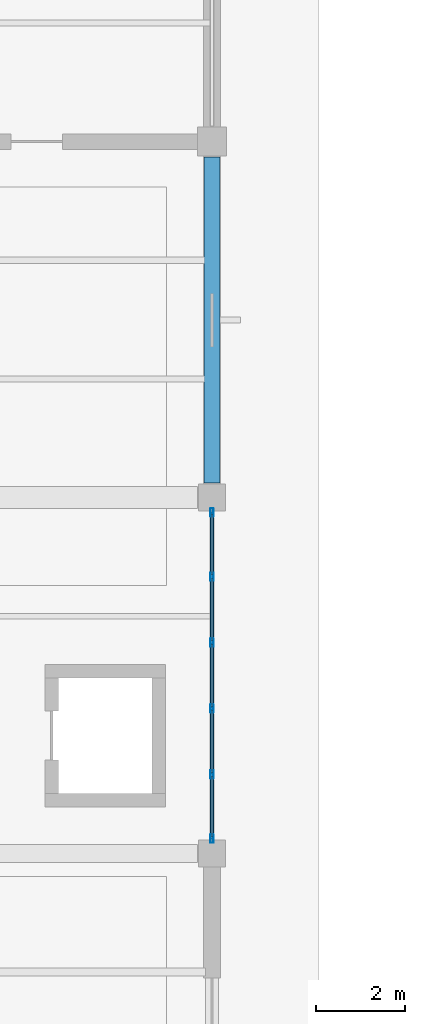
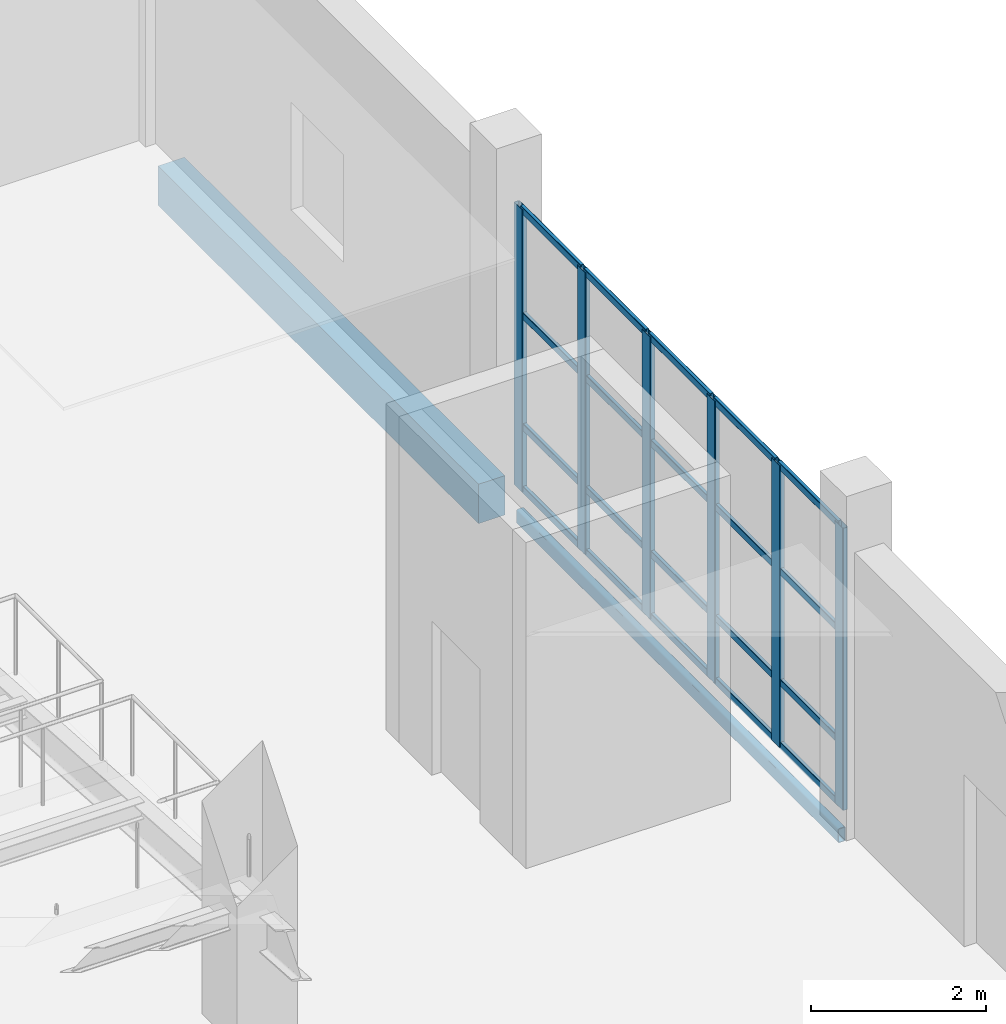
# One storey, part 40 of 156: 26 members, 2 beams, 1 element without a shape of its own.
"""IFC4 building model written with IfcOpenShell, lengths in metres."""

from ifc_helpers import new_model, si_unit, direction, frame, origin, origin_2d, place, context, subcontext, project, spatial, rectangle, hollow_rectangle, extrude, material, material_profile, profile_set, type_object, element, aggregate, save


model = new_model("IFC4")

# Units and contexts
model_context = context("Model", 3, precision=1e-05, world=origin(), true_north=direction((0.0, 1.0)))
body_context = subcontext(model_context, "Body", "Model", "MODEL_VIEW")
ifc_project = project(units=[si_unit("LENGTHUNIT", "METRE"), si_unit("AREAUNIT", "SQUARE_METRE"), si_unit("VOLUMEUNIT", "CUBIC_METRE"), si_unit("PLANEANGLEUNIT", "RADIAN"), si_unit("MASSUNIT", "GRAM", prefix="KILO")], contexts=[model_context])

# Site, building, storey
site_placement = place(None, origin())
site = spatial("IfcSite", under=ifc_project, at=site_placement, CompositionType="ELEMENT")
building_placement = place(site_placement, origin())
building = spatial("IfcBuilding", under=site, at=building_placement, Name="Luwemba Playhouse", CompositionType="ELEMENT")
storey_placement = place(building_placement, origin())
storey = spatial("IfcBuildingStorey", under=building, at=storey_placement, Name="L00", CompositionType="ELEMENT", Elevation=0.0)

# Beams
ifc_material_1 = material(Name="Concrete C40/50", Category="concrete")
ifc_material_profile_1 = material_profile(ifc_material_1, rectangle(XDim=0.35009765625, YDim=0.550048828125, at=origin_2d()))
ifc_profile_set_1 = profile_set([ifc_material_profile_1], Name="Concrete C40/50")
beam_type_1 = type_object("IfcBeamType", Name="BM-SP2", PredefinedType="SPANDREL", material=ifc_profile_set_1)
beam_1_placement = place(storey_placement, frame((52.0, 60.324951171875, -0.574951171875), z_axis=(0.0, 1.0, 0.0), x_axis=(-1.0, 0.0, 0.0)))
element("IfcBeam", 1, at=beam_1_placement, inside=storey, type_object=beam_type_1, Name="L00 transverse girder 0040", PredefinedType="SPANDREL", context=body_context, shape_type="SweptSolid", body=[
    extrude(rectangle(XDim=0.35009765625, YDim=0.550048828125, at=origin_2d()), origin(), (0.0, 0.0, 1.0), 7.324951171875),
])
ifc_material_2 = material(Name="Steel S355", Category="steel")
ifc_material_profile_2 = material_profile(ifc_material_2, hollow_rectangle(XDim=0.10009765625, YDim=0.199951171875, WallThickness=0.008056640625, InnerFilletRadius=0.011962890625, OuterFilletRadius=0.02001953125, at=origin_2d()))
ifc_profile_set_2 = profile_set([ifc_material_profile_2], Name="Steel S355")
beam_type_2 = type_object("IfcBeamType", Name="BM-SSP2", PredefinedType="SPANDREL", material=ifc_profile_set_2)
beam_2_placement = place(storey_placement, frame((52.0, 52.324951171875, -0.39990234375), z_axis=(0.0, 1.0, 0.0), x_axis=(-1.0, 0.0, 0.0)))
element("IfcBeam", 2, at=beam_2_placement, inside=storey, type_object=beam_type_2, Name="L00 transverse girder 0039", PredefinedType="SPANDREL", context=body_context, shape_type="SweptSolid", body=[
    extrude(hollow_rectangle(XDim=0.10009765625, YDim=0.199951171875, WallThickness=0.008056640625, InnerFilletRadius=0.011962890625, OuterFilletRadius=0.02001953125, at=origin_2d()), origin(), (0.0, 0.0, 1.0), 7.35009765625),
])

# Curtain wall, members
ifc_material_3 = material(Name="Solar-control double glazing", Category="glass")
curtain_wall_type = type_object("IfcCurtainWallType", Name="CW-CW06", PredefinedType="USERDEFINED", material=ifc_material_3)
curtain_wall_placement = place(storey_placement, origin())
curtain_wall = element("IfcCurtainWall", 3, at=curtain_wall_placement, inside=storey, type_object=curtain_wall_type, Name="L00 V1 unitised curtain wall 006", ObjectType="UNITISED GLAZING", PredefinedType="USERDEFINED")
ifc_material_4 = material(Name="Aluminium 6063-T6", Category="aluminium")
ifc_material_profile_3 = material_profile(ifc_material_4, hollow_rectangle(XDim=0.070068359375, YDim=0.18994140625, WallThickness=0.0048828125, InnerFilletRadius=0.007568359375, OuterFilletRadius=0.012451171875, at=origin_2d()))
ifc_profile_set_3 = profile_set([ifc_material_profile_3], Name="Aluminium 6063-T6")
member_type_1 = type_object("IfcMemberType", Name="CWM-M4", PredefinedType="MULLION", material=ifc_profile_set_3)
member_1_placement = place(storey_placement, frame((52.0, 59.6650390625, 0.0), z_axis=(0.0, 0.0, 1.0), x_axis=(1.0, 0.0, 0.0)))
member_1 = element("IfcMember", 4, at=member_1_placement, type_object=member_type_1, Name="CW06 mullion 1", PredefinedType="MULLION", context=body_context, shape_type="SweptSolid", body=[
    extrude(hollow_rectangle(XDim=0.070068359375, YDim=0.18994140625, WallThickness=0.0048828125, InnerFilletRadius=0.007568359375, OuterFilletRadius=0.012451171875, at=origin_2d()), origin(), (0.0, 0.0, 1.0), 3.93505859375),
])
member_2_placement = place(storey_placement, frame((52.0, 58.219970703125, 0.0), z_axis=(0.0, 0.0, 1.0), x_axis=(1.0, 0.0, 0.0)))
member_2 = element("IfcMember", 5, at=member_2_placement, type_object=member_type_1, Name="CW06 mullion 2", PredefinedType="MULLION", context=body_context, shape_type="SweptSolid", body=[
    extrude(hollow_rectangle(XDim=0.070068359375, YDim=0.18994140625, WallThickness=0.0048828125, InnerFilletRadius=0.007568359375, OuterFilletRadius=0.012451171875, at=origin_2d()), origin(), (0.0, 0.0, 1.0), 3.93505859375),
])
member_3_placement = place(storey_placement, frame((52.0, 56.739990234375, 0.0), z_axis=(0.0, 0.0, 1.0), x_axis=(1.0, 0.0, 0.0)))
member_3 = element("IfcMember", 6, at=member_3_placement, type_object=member_type_1, Name="CW06 mullion 3", PredefinedType="MULLION", context=body_context, shape_type="SweptSolid", body=[
    extrude(hollow_rectangle(XDim=0.070068359375, YDim=0.18994140625, WallThickness=0.0048828125, InnerFilletRadius=0.007568359375, OuterFilletRadius=0.012451171875, at=origin_2d()), origin(), (0.0, 0.0, 1.0), 3.93505859375),
])
member_4_placement = place(storey_placement, frame((52.0, 55.260009765625, 0.0), z_axis=(0.0, 0.0, 1.0), x_axis=(1.0, 0.0, 0.0)))
member_4 = element("IfcMember", 7, at=member_4_placement, type_object=member_type_1, Name="CW06 mullion 4", PredefinedType="MULLION", context=body_context, shape_type="SweptSolid", body=[
    extrude(hollow_rectangle(XDim=0.070068359375, YDim=0.18994140625, WallThickness=0.0048828125, InnerFilletRadius=0.007568359375, OuterFilletRadius=0.012451171875, at=origin_2d()), origin(), (0.0, 0.0, 1.0), 3.93505859375),
])
member_5_placement = place(storey_placement, frame((52.0, 53.780029296875, 0.0), z_axis=(0.0, 0.0, 1.0), x_axis=(1.0, 0.0, 0.0)))
member_5 = element("IfcMember", 8, at=member_5_placement, type_object=member_type_1, Name="CW06 mullion 5", PredefinedType="MULLION", context=body_context, shape_type="SweptSolid", body=[
    extrude(hollow_rectangle(XDim=0.070068359375, YDim=0.18994140625, WallThickness=0.0048828125, InnerFilletRadius=0.007568359375, OuterFilletRadius=0.012451171875, at=origin_2d()), origin(), (0.0, 0.0, 1.0), 3.93505859375),
])
member_6_placement = place(storey_placement, frame((52.0, 52.3349609375, 0.0), z_axis=(0.0, 0.0, 1.0), x_axis=(1.0, 0.0, 0.0)))
member_6 = element("IfcMember", 9, at=member_6_placement, type_object=member_type_1, Name="CW06 mullion 6", PredefinedType="MULLION", context=body_context, shape_type="SweptSolid", body=[
    extrude(hollow_rectangle(XDim=0.070068359375, YDim=0.18994140625, WallThickness=0.0048828125, InnerFilletRadius=0.007568359375, OuterFilletRadius=0.012451171875, at=origin_2d()), origin(), (0.0, 0.0, 1.0), 3.93505859375),
])
ifc_material_profile_4 = material_profile(ifc_material_4, hollow_rectangle(XDim=0.050048828125, YDim=0.10009765625, WallThickness=0.00341796875, InnerFilletRadius=0.00537109375, OuterFilletRadius=0.0087890625, at=origin_2d()))
ifc_profile_set_4 = profile_set([ifc_material_profile_4], Name="Aluminium 6063-T6")
member_type_2 = type_object("IfcMemberType", Name="CWT-T4", PredefinedType="USERDEFINED", material=ifc_profile_set_4)
member_7_placement = place(storey_placement, frame((52.0, 59.6298828125, 0.02490234375), z_axis=(0.0, -1.0, 0.0), x_axis=(1.0, 0.0, 0.0)))
member_7 = element("IfcMember", 10, at=member_7_placement, type_object=member_type_2, Name="CW06 transom 1.1", ObjectType="TRANSOM", PredefinedType="USERDEFINED", context=body_context, shape_type="SweptSolid", body=[
    extrude(hollow_rectangle(XDim=0.050048828125, YDim=0.10009765625, WallThickness=0.00341796875, InnerFilletRadius=0.00537109375, OuterFilletRadius=0.0087890625, at=origin_2d()), origin(), (0.0, 0.0, 1.0), 1.375),
])
member_8_placement = place(storey_placement, frame((52.0, 59.6298828125, 0.89990234375), z_axis=(0.0, -1.0, 0.0), x_axis=(1.0, 0.0, 0.0)))
member_8 = element("IfcMember", 11, at=member_8_placement, type_object=member_type_2, Name="CW06 transom 1.2", ObjectType="TRANSOM", PredefinedType="USERDEFINED", context=body_context, shape_type="SweptSolid", body=[
    extrude(hollow_rectangle(XDim=0.050048828125, YDim=0.10009765625, WallThickness=0.00341796875, InnerFilletRadius=0.00537109375, OuterFilletRadius=0.0087890625, at=origin_2d()), origin(), (0.0, 0.0, 1.0), 1.375),
])
member_9_placement = place(storey_placement, frame((52.0, 59.6298828125, 2.449951171875), z_axis=(0.0, -1.0, 0.0), x_axis=(1.0, 0.0, 0.0)))
member_9 = element("IfcMember", 12, at=member_9_placement, type_object=member_type_2, Name="CW06 transom 1.3", ObjectType="TRANSOM", PredefinedType="USERDEFINED", context=body_context, shape_type="SweptSolid", body=[
    extrude(hollow_rectangle(XDim=0.050048828125, YDim=0.10009765625, WallThickness=0.00341796875, InnerFilletRadius=0.00537109375, OuterFilletRadius=0.0087890625, at=origin_2d()), origin(), (0.0, 0.0, 1.0), 1.375),
])
member_10_placement = place(storey_placement, frame((52.0, 59.6298828125, 3.909912109375), z_axis=(0.0, -1.0, 0.0), x_axis=(1.0, 0.0, 0.0)))
member_10 = element("IfcMember", 13, at=member_10_placement, type_object=member_type_2, Name="CW06 transom 1.4", ObjectType="TRANSOM", PredefinedType="USERDEFINED", context=body_context, shape_type="SweptSolid", body=[
    extrude(hollow_rectangle(XDim=0.050048828125, YDim=0.10009765625, WallThickness=0.00341796875, InnerFilletRadius=0.00537109375, OuterFilletRadius=0.0087890625, at=origin_2d()), origin(), (0.0, 0.0, 1.0), 1.375),
])
member_11_placement = place(storey_placement, frame((52.0, 58.18505859375, 0.02490234375), z_axis=(0.0, -1.0, 0.0), x_axis=(1.0, 0.0, 0.0)))
member_11 = element("IfcMember", 14, at=member_11_placement, type_object=member_type_2, Name="CW06 transom 2.1", ObjectType="TRANSOM", PredefinedType="USERDEFINED", context=body_context, shape_type="SweptSolid", body=[
    extrude(hollow_rectangle(XDim=0.050048828125, YDim=0.10009765625, WallThickness=0.00341796875, InnerFilletRadius=0.00537109375, OuterFilletRadius=0.0087890625, at=origin_2d()), origin(), (0.0, 0.0, 1.0), 1.41015625),
])
member_12_placement = place(storey_placement, frame((52.0, 58.18505859375, 0.89990234375), z_axis=(0.0, -1.0, 0.0), x_axis=(1.0, 0.0, 0.0)))
member_12 = element("IfcMember", 15, at=member_12_placement, type_object=member_type_2, Name="CW06 transom 2.2", ObjectType="TRANSOM", PredefinedType="USERDEFINED", context=body_context, shape_type="SweptSolid", body=[
    extrude(hollow_rectangle(XDim=0.050048828125, YDim=0.10009765625, WallThickness=0.00341796875, InnerFilletRadius=0.00537109375, OuterFilletRadius=0.0087890625, at=origin_2d()), origin(), (0.0, 0.0, 1.0), 1.41015625),
])
member_13_placement = place(storey_placement, frame((52.0, 58.18505859375, 2.449951171875), z_axis=(0.0, -1.0, 0.0), x_axis=(1.0, 0.0, 0.0)))
member_13 = element("IfcMember", 16, at=member_13_placement, type_object=member_type_2, Name="CW06 transom 2.3", ObjectType="TRANSOM", PredefinedType="USERDEFINED", context=body_context, shape_type="SweptSolid", body=[
    extrude(hollow_rectangle(XDim=0.050048828125, YDim=0.10009765625, WallThickness=0.00341796875, InnerFilletRadius=0.00537109375, OuterFilletRadius=0.0087890625, at=origin_2d()), origin(), (0.0, 0.0, 1.0), 1.41015625),
])
member_14_placement = place(storey_placement, frame((52.0, 58.18505859375, 3.909912109375), z_axis=(0.0, -1.0, 0.0), x_axis=(1.0, 0.0, 0.0)))
member_14 = element("IfcMember", 17, at=member_14_placement, type_object=member_type_2, Name="CW06 transom 2.4", ObjectType="TRANSOM", PredefinedType="USERDEFINED", context=body_context, shape_type="SweptSolid", body=[
    extrude(hollow_rectangle(XDim=0.050048828125, YDim=0.10009765625, WallThickness=0.00341796875, InnerFilletRadius=0.00537109375, OuterFilletRadius=0.0087890625, at=origin_2d()), origin(), (0.0, 0.0, 1.0), 1.41015625),
])
member_15_placement = place(storey_placement, frame((52.0, 56.705078125, 0.02490234375), z_axis=(0.0, -1.0, 0.0), x_axis=(1.0, 0.0, 0.0)))
member_15 = element("IfcMember", 18, at=member_15_placement, type_object=member_type_2, Name="CW06 transom 3.1", ObjectType="TRANSOM", PredefinedType="USERDEFINED", context=body_context, shape_type="SweptSolid", body=[
    extrude(hollow_rectangle(XDim=0.050048828125, YDim=0.10009765625, WallThickness=0.00341796875, InnerFilletRadius=0.00537109375, OuterFilletRadius=0.0087890625, at=origin_2d()), origin(), (0.0, 0.0, 1.0), 1.41015625),
])
member_16_placement = place(storey_placement, frame((52.0, 56.705078125, 0.89990234375), z_axis=(0.0, -1.0, 0.0), x_axis=(1.0, 0.0, 0.0)))
member_16 = element("IfcMember", 19, at=member_16_placement, type_object=member_type_2, Name="CW06 transom 3.2", ObjectType="TRANSOM", PredefinedType="USERDEFINED", context=body_context, shape_type="SweptSolid", body=[
    extrude(hollow_rectangle(XDim=0.050048828125, YDim=0.10009765625, WallThickness=0.00341796875, InnerFilletRadius=0.00537109375, OuterFilletRadius=0.0087890625, at=origin_2d()), origin(), (0.0, 0.0, 1.0), 1.41015625),
])
member_17_placement = place(storey_placement, frame((52.0, 56.705078125, 2.449951171875), z_axis=(0.0, -1.0, 0.0), x_axis=(1.0, 0.0, 0.0)))
member_17 = element("IfcMember", 20, at=member_17_placement, type_object=member_type_2, Name="CW06 transom 3.3", ObjectType="TRANSOM", PredefinedType="USERDEFINED", context=body_context, shape_type="SweptSolid", body=[
    extrude(hollow_rectangle(XDim=0.050048828125, YDim=0.10009765625, WallThickness=0.00341796875, InnerFilletRadius=0.00537109375, OuterFilletRadius=0.0087890625, at=origin_2d()), origin(), (0.0, 0.0, 1.0), 1.41015625),
])
member_18_placement = place(storey_placement, frame((52.0, 56.705078125, 3.909912109375), z_axis=(0.0, -1.0, 0.0), x_axis=(1.0, 0.0, 0.0)))
member_18 = element("IfcMember", 21, at=member_18_placement, type_object=member_type_2, Name="CW06 transom 3.4", ObjectType="TRANSOM", PredefinedType="USERDEFINED", context=body_context, shape_type="SweptSolid", body=[
    extrude(hollow_rectangle(XDim=0.050048828125, YDim=0.10009765625, WallThickness=0.00341796875, InnerFilletRadius=0.00537109375, OuterFilletRadius=0.0087890625, at=origin_2d()), origin(), (0.0, 0.0, 1.0), 1.41015625),
])
member_19_placement = place(storey_placement, frame((52.0, 55.22509765625, 0.02490234375), z_axis=(0.0, -1.0, 0.0), x_axis=(1.0, 0.0, 0.0)))
member_19 = element("IfcMember", 22, at=member_19_placement, type_object=member_type_2, Name="CW06 transom 4.1", ObjectType="TRANSOM", PredefinedType="USERDEFINED", context=body_context, shape_type="SweptSolid", body=[
    extrude(hollow_rectangle(XDim=0.050048828125, YDim=0.10009765625, WallThickness=0.00341796875, InnerFilletRadius=0.00537109375, OuterFilletRadius=0.0087890625, at=origin_2d()), origin(), (0.0, 0.0, 1.0), 1.41015625),
])
member_20_placement = place(storey_placement, frame((52.0, 55.22509765625, 0.89990234375), z_axis=(0.0, -1.0, 0.0), x_axis=(1.0, 0.0, 0.0)))
member_20 = element("IfcMember", 23, at=member_20_placement, type_object=member_type_2, Name="CW06 transom 4.2", ObjectType="TRANSOM", PredefinedType="USERDEFINED", context=body_context, shape_type="SweptSolid", body=[
    extrude(hollow_rectangle(XDim=0.050048828125, YDim=0.10009765625, WallThickness=0.00341796875, InnerFilletRadius=0.00537109375, OuterFilletRadius=0.0087890625, at=origin_2d()), origin(), (0.0, 0.0, 1.0), 1.41015625),
])
member_21_placement = place(storey_placement, frame((52.0, 55.22509765625, 2.449951171875), z_axis=(0.0, -1.0, 0.0), x_axis=(1.0, 0.0, 0.0)))
member_21 = element("IfcMember", 24, at=member_21_placement, type_object=member_type_2, Name="CW06 transom 4.3", ObjectType="TRANSOM", PredefinedType="USERDEFINED", context=body_context, shape_type="SweptSolid", body=[
    extrude(hollow_rectangle(XDim=0.050048828125, YDim=0.10009765625, WallThickness=0.00341796875, InnerFilletRadius=0.00537109375, OuterFilletRadius=0.0087890625, at=origin_2d()), origin(), (0.0, 0.0, 1.0), 1.41015625),
])
member_22_placement = place(storey_placement, frame((52.0, 55.22509765625, 3.909912109375), z_axis=(0.0, -1.0, 0.0), x_axis=(1.0, 0.0, 0.0)))
member_22 = element("IfcMember", 25, at=member_22_placement, type_object=member_type_2, Name="CW06 transom 4.4", ObjectType="TRANSOM", PredefinedType="USERDEFINED", context=body_context, shape_type="SweptSolid", body=[
    extrude(hollow_rectangle(XDim=0.050048828125, YDim=0.10009765625, WallThickness=0.00341796875, InnerFilletRadius=0.00537109375, OuterFilletRadius=0.0087890625, at=origin_2d()), origin(), (0.0, 0.0, 1.0), 1.41015625),
])
member_23_placement = place(storey_placement, frame((52.0, 53.7451171875, 0.02490234375), z_axis=(0.0, -1.0, 0.0), x_axis=(1.0, 0.0, 0.0)))
member_23 = element("IfcMember", 26, at=member_23_placement, type_object=member_type_2, Name="CW06 transom 5.1", ObjectType="TRANSOM", PredefinedType="USERDEFINED", context=body_context, shape_type="SweptSolid", body=[
    extrude(hollow_rectangle(XDim=0.050048828125, YDim=0.10009765625, WallThickness=0.00341796875, InnerFilletRadius=0.00537109375, OuterFilletRadius=0.0087890625, at=origin_2d()), origin(), (0.0, 0.0, 1.0), 1.375),
])
member_24_placement = place(storey_placement, frame((52.0, 53.7451171875, 0.89990234375), z_axis=(0.0, -1.0, 0.0), x_axis=(1.0, 0.0, 0.0)))
member_24 = element("IfcMember", 27, at=member_24_placement, type_object=member_type_2, Name="CW06 transom 5.2", ObjectType="TRANSOM", PredefinedType="USERDEFINED", context=body_context, shape_type="SweptSolid", body=[
    extrude(hollow_rectangle(XDim=0.050048828125, YDim=0.10009765625, WallThickness=0.00341796875, InnerFilletRadius=0.00537109375, OuterFilletRadius=0.0087890625, at=origin_2d()), origin(), (0.0, 0.0, 1.0), 1.375),
])
member_25_placement = place(storey_placement, frame((52.0, 53.7451171875, 2.449951171875), z_axis=(0.0, -1.0, 0.0), x_axis=(1.0, 0.0, 0.0)))
member_25 = element("IfcMember", 28, at=member_25_placement, type_object=member_type_2, Name="CW06 transom 5.3", ObjectType="TRANSOM", PredefinedType="USERDEFINED", context=body_context, shape_type="SweptSolid", body=[
    extrude(hollow_rectangle(XDim=0.050048828125, YDim=0.10009765625, WallThickness=0.00341796875, InnerFilletRadius=0.00537109375, OuterFilletRadius=0.0087890625, at=origin_2d()), origin(), (0.0, 0.0, 1.0), 1.375),
])
member_26_placement = place(storey_placement, frame((52.0, 53.7451171875, 3.909912109375), z_axis=(0.0, -1.0, 0.0), x_axis=(1.0, 0.0, 0.0)))
member_26 = element("IfcMember", 29, at=member_26_placement, type_object=member_type_2, Name="CW06 transom 5.4", ObjectType="TRANSOM", PredefinedType="USERDEFINED", context=body_context, shape_type="SweptSolid", body=[
    extrude(hollow_rectangle(XDim=0.050048828125, YDim=0.10009765625, WallThickness=0.00341796875, InnerFilletRadius=0.00537109375, OuterFilletRadius=0.0087890625, at=origin_2d()), origin(), (0.0, 0.0, 1.0), 1.375),
])
aggregate(curtain_wall, [member_1, member_2, member_3, member_4, member_5, member_6, member_7, member_8, member_9, member_10, member_11, member_12, member_13, member_14, member_15, member_16, member_17, member_18, member_19, member_20, member_21, member_22, member_23, member_24, member_25, member_26])

save(model, "model.ifc")
